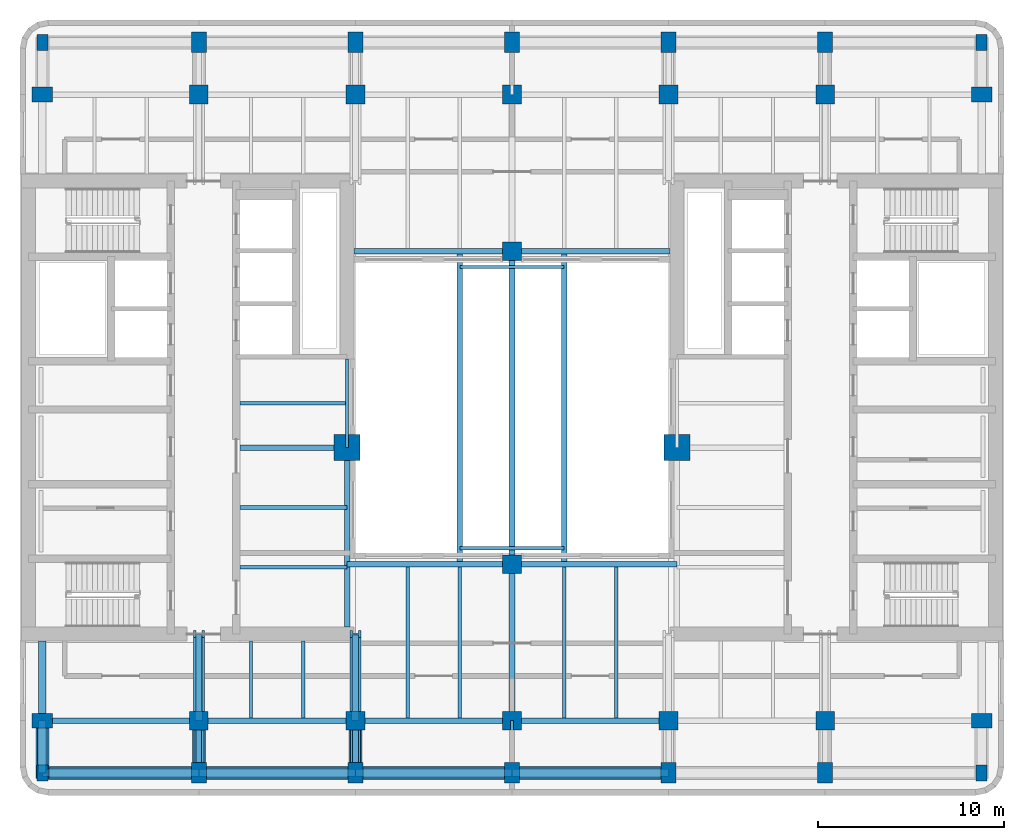
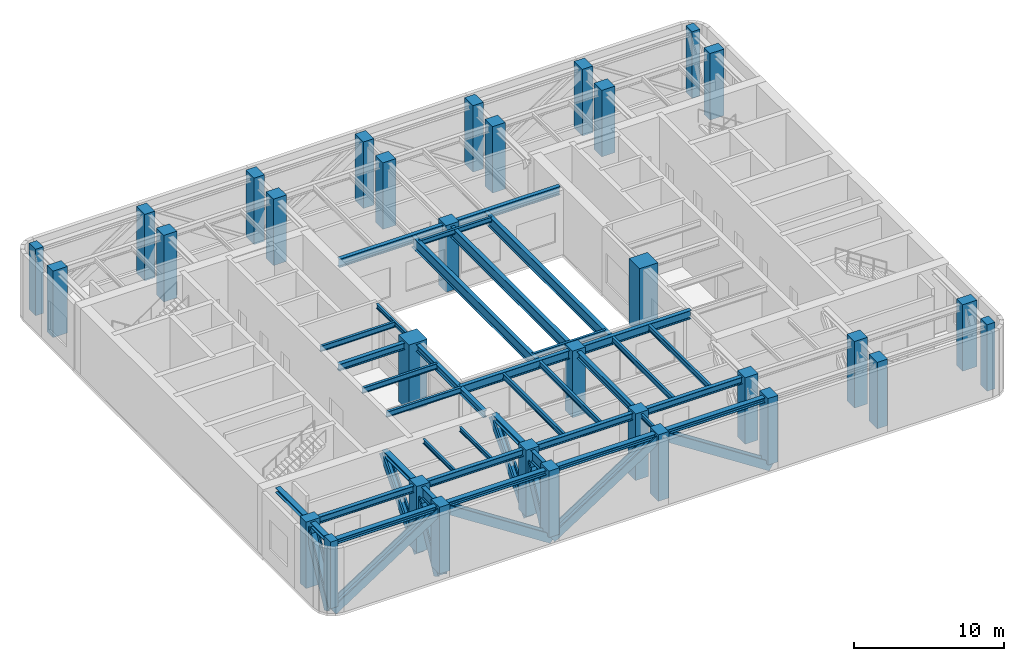
# One storey, part 1 of 10: 37 beams, 32 columns, 9 members.
"""IFC4 building model written with IfcOpenShell, lengths in metres."""

from ifc_helpers import new_model, si_unit, direction, frame, origin, origin_2d, place, context, subcontext, project, spatial, rectangle, i_section, extrude, material, material_profile, profile_set, type_object, element, save


model = new_model("IFC4")

# Units and contexts
model_context = context("Model", 3, precision=1e-05, world=origin(), true_north=direction((0.0, 1.0)))
body_context = subcontext(model_context, "Body", "Model", "MODEL_VIEW")
ifc_project = project(units=[si_unit("LENGTHUNIT", "METRE"), si_unit("AREAUNIT", "SQUARE_METRE"), si_unit("VOLUMEUNIT", "CUBIC_METRE"), si_unit("PLANEANGLEUNIT", "RADIAN"), si_unit("MASSUNIT", "GRAM", prefix="KILO")], contexts=[model_context])

# Site, building, storey
site_placement = place(None, origin())
site = spatial("IfcSite", under=ifc_project, at=site_placement, CompositionType="ELEMENT")
building_placement = place(site_placement, origin())
building = spatial("IfcBuilding", under=site, at=building_placement, Name="Claustro Exchange Tower", CompositionType="ELEMENT")
storey_placement = place(building_placement, frame((0.0, 0.0, 244.800048828125)))
storey = spatial("IfcBuildingStorey", under=building, at=storey_placement, Name="L56", CompositionType="ELEMENT", Elevation=244.800048828125)

# Columns
ifc_material_1 = material(Name="Concrete HA-70 (C70/85)", Category="concrete")
ifc_material_profile_1 = material_profile(ifc_material_1, rectangle(XDim=1.39990234375, YDim=1.39990234375, at=origin_2d()), Name="RC 1400x1400")
ifc_profile_set_1 = profile_set([ifc_material_profile_1], Name="Concrete HA-70 (C70/85)")
column_type_1 = type_object("IfcColumnType", Name="C0 RC 1400x1400 HA-70 column", PredefinedType="COLUMN", material=ifc_profile_set_1)
for number, where, z_axis, x_axis, name in (
    (1, (16.35009765625, 23.050048828125, 0.0), (0.0, 0.0, 1.0), (1.0, 0.0, 0.0), "Column C0 2+7950/C+6250 L56"),
    (2, (34.050048828125, 23.050048828125, 0.0), (0.0, 0.0, 1.0), (1.0, 0.0, 0.0), "Column C0 5+450/C+6250 L56"),
):
    element("IfcColumn", number, at=place(storey_placement, frame(where, z_axis=z_axis, x_axis=x_axis)), inside=storey, type_object=column_type_1, Name=name, PredefinedType="COLUMN", context=body_context, shape_type="SweptSolid", body=[
        extrude(rectangle(XDim=1.39990234375, YDim=1.39990234375, at=origin_2d()), origin(), (0.0, 0.0, 1.0), 5.39990234375),
    ])
ifc_material_2 = material(Name="Concrete HA-70 (C70/85)", Category="concrete")
ifc_material_profile_2 = material_profile(ifc_material_2, rectangle(XDim=1.0, YDim=1.0, at=origin_2d()), Name="RC 1000x1000")
ifc_profile_set_2 = profile_set([ifc_material_profile_2], Name="Concrete HA-70 (C70/85)")
column_type_2 = type_object("IfcColumnType", Name="C2 RC 1000x1000 HA-70 column", PredefinedType="COLUMN", material=ifc_profile_set_2)
for number, where, z_axis, x_axis, name in (
    (3, (8.39990234375, 8.39990234375, 0.0), (0.0, 0.0, 1.0), (1.0, 0.0, 0.0), "Column C2 2/B L56"),
    (4, (8.39990234375, 42.0, 0.0), (0.0, 0.0, 1.0), (1.0, 0.0, 0.0), "Column C2 2/F L56"),
    (5, (16.800048828125, 8.39990234375, 0.0), (0.0, 0.0, 1.0), (1.0, 0.0, 0.0), "Column C2 3/B L56"),
    (6, (16.800048828125, 42.0, 0.0), (0.0, 0.0, 1.0), (1.0, 0.0, 0.0), "Column C2 3/F L56"),
    (7, (25.199951171875, 8.39990234375, 0.0), (0.0, 0.0, 1.0), (1.0, 0.0, 0.0), "Column C2 4/B L56"),
    (8, (25.199951171875, 42.0, 0.0), (0.0, 0.0, 1.0), (1.0, 0.0, 0.0), "Column C2 4/F L56"),
    (9, (25.199951171875, 16.800048828125, 0.0), (0.0, 0.0, 1.0), (1.0, 0.0, 0.0), "Column C2 4/C L56"),
    (10, (25.199951171875, 33.60009765625, 0.0), (0.0, 0.0, 1.0), (1.0, 0.0, 0.0), "Column C2 4/E L56"),
    (11, (33.60009765625, 8.39990234375, 0.0), (0.0, 0.0, 1.0), (1.0, 0.0, 0.0), "Column C2 5/B L56"),
    (12, (33.60009765625, 42.0, 0.0), (0.0, 0.0, 1.0), (1.0, 0.0, 0.0), "Column C2 5/F L56"),
    (13, (42.0, 8.39990234375, 0.0), (0.0, 0.0, 1.0), (1.0, 0.0, 0.0), "Column C2 6/B L56"),
    (14, (42.0, 42.0, 0.0), (0.0, 0.0, 1.0), (1.0, 0.0, 0.0), "Column C2 6/F L56"),
):
    element("IfcColumn", number, at=place(storey_placement, frame(where, z_axis=z_axis, x_axis=x_axis)), inside=storey, type_object=column_type_2, Name=name, PredefinedType="COLUMN", context=body_context, shape_type="SweptSolid", body=[
        extrude(rectangle(XDim=1.0, YDim=1.0, at=origin_2d()), origin(), (0.0, 0.0, 1.0), 5.39990234375),
    ])
ifc_material_3 = material(Name="Concrete HA-50 (C50/60)", Category="concrete")
ifc_material_profile_3 = material_profile(ifc_material_3, rectangle(XDim=0.800048828125, YDim=1.10009765625, at=origin_2d()), Name="RC 800x1100")
ifc_profile_set_3 = profile_set([ifc_material_profile_3], Name="Concrete HA-50 (C50/60)")
column_type_3 = type_object("IfcColumnType", Name="C23 RC 800x1100 HA-50 perimeter column", PredefinedType="COLUMN", material=ifc_profile_set_3)
for number, where, z_axis, x_axis, name in (
    (15, (0.0, 8.39990234375, 0.0), (0.0, 0.0, 1.0), (0.0, 1.0, 0.0), "Column C23 1/B L56"),
    (16, (0.0, 42.0, 0.0), (0.0, 0.0, 1.0), (0.0, 1.0, 0.0), "Column C23 1/F L56"),
    (17, (8.39990234375, 5.60009765625, 0.0), (0.0, 0.0, 1.0), (1.0, 0.0, 0.0), "Column C23 2/A+5600 L56"),
    (18, (8.39990234375, 44.800048828125, 0.0), (0.0, 0.0, 1.0), (1.0, 0.0, 0.0), "Column C23 2/F+2800 L56"),
    (19, (16.800048828125, 5.60009765625, 0.0), (0.0, 0.0, 1.0), (1.0, 0.0, 0.0), "Column C23 3/A+5600 L56"),
    (20, (16.800048828125, 44.800048828125, 0.0), (0.0, 0.0, 1.0), (1.0, 0.0, 0.0), "Column C23 3/F+2800 L56"),
    (21, (25.199951171875, 5.60009765625, 0.0), (0.0, 0.0, 1.0), (1.0, 0.0, 0.0), "Column C23 4/A+5600 L56"),
    (22, (25.199951171875, 44.800048828125, 0.0), (0.0, 0.0, 1.0), (1.0, 0.0, 0.0), "Column C23 4/F+2800 L56"),
    (23, (33.60009765625, 5.60009765625, 0.0), (0.0, 0.0, 1.0), (1.0, 0.0, 0.0), "Column C23 5/A+5600 L56"),
    (24, (33.60009765625, 44.800048828125, 0.0), (0.0, 0.0, 1.0), (1.0, 0.0, 0.0), "Column C23 5/F+2800 L56"),
    (25, (42.0, 5.60009765625, 0.0), (0.0, 0.0, 1.0), (1.0, 0.0, 0.0), "Column C23 6/A+5600 L56"),
    (26, (42.0, 44.800048828125, 0.0), (0.0, 0.0, 1.0), (1.0, 0.0, 0.0), "Column C23 6/F+2800 L56"),
    (27, (50.39990234375, 8.39990234375, 0.0), (0.0, 0.0, 1.0), (0.0, 1.0, 0.0), "Column C23 7/B L56"),
    (28, (50.39990234375, 42.0, 0.0), (0.0, 0.0, 1.0), (0.0, 1.0, 0.0), "Column C23 7/F L56"),
):
    element("IfcColumn", number, at=place(storey_placement, frame(where, z_axis=z_axis, x_axis=x_axis)), inside=storey, type_object=column_type_3, Name=name, PredefinedType="COLUMN", context=body_context, shape_type="SweptSolid", body=[
        extrude(rectangle(XDim=0.800048828125, YDim=1.10009765625, at=origin_2d()), origin(), (0.0, 0.0, 1.0), 5.39990234375),
    ])
ifc_material_4 = material(Name="Concrete HA-50 (C50/60)", Category="concrete")
ifc_material_profile_4 = material_profile(ifc_material_4, rectangle(XDim=0.60009765625, YDim=0.85009765625, at=origin_2d()), Name="RC 600x850")
ifc_profile_set_4 = profile_set([ifc_material_profile_4], Name="Concrete HA-50 (C50/60)")
column_type_4 = type_object("IfcColumnType", Name="C25 RC 600x850 HA-50 corner column", PredefinedType="COLUMN", material=ifc_profile_set_4)
for number, where, z_axis, x_axis, name in (
    (29, (0.0, 5.60009765625, 0.0), (0.0, 0.0, 1.0), (1.0, 0.0, 0.0), "Column C25 1/A+5600 L56"),
    (30, (0.0, 44.800048828125, 0.0), (0.0, 0.0, 1.0), (1.0, 0.0, 0.0), "Column C25 1/F+2800 L56"),
    (31, (50.39990234375, 5.60009765625, 0.0), (0.0, 0.0, 1.0), (1.0, 0.0, 0.0), "Column C25 7/A+5600 L56"),
    (32, (50.39990234375, 44.800048828125, 0.0), (0.0, 0.0, 1.0), (1.0, 0.0, 0.0), "Column C25 7/F+2800 L56"),
):
    element("IfcColumn", number, at=place(storey_placement, frame(where, z_axis=z_axis, x_axis=x_axis)), inside=storey, type_object=column_type_4, Name=name, PredefinedType="COLUMN", context=body_context, shape_type="SweptSolid", body=[
        extrude(rectangle(XDim=0.60009765625, YDim=0.85009765625, at=origin_2d()), origin(), (0.0, 0.0, 1.0), 5.39990234375),
    ])

# Beams
ifc_material_5 = material(Name="Steel S355", Category="steel")
ifc_material_profile_5 = material_profile(ifc_material_5, i_section(OverallWidth=0.300048828125, OverallDepth=0.68994140625, WebThickness=0.014404296875, FlangeThickness=0.027099609375, FilletRadius=0.027099609375, at=origin_2d()), Name="HE 700 A")
ifc_profile_set_5 = profile_set([ifc_material_profile_5], Name="Steel S355")
beam_type_1 = type_object("IfcBeamType", Name="B13 HE 700 A light well edge girder", PredefinedType="BEAM", material=ifc_profile_set_5)
beam_1_placement = place(storey_placement, frame((16.35009765625, 16.800048828125, 4.905029296875), z_axis=(1.0, 0.0, 0.0), x_axis=(0.0, 1.0, 0.0)))
element("IfcBeam", 33, at=beam_1_placement, inside=storey, type_object=beam_type_1, Name="Beam B13 L57", PredefinedType="BEAM", context=body_context, shape_type="SweptSolid", body=[
    extrude(i_section(OverallWidth=0.300048828125, OverallDepth=0.68994140625, WebThickness=0.014404296875, FlangeThickness=0.027099609375, FilletRadius=0.027099609375, at=origin_2d()), origin(), (0.0, 0.0, 1.0), 8.849853515625),
])
beam_2_placement = place(storey_placement, frame((25.199951171875, 16.800048828125, 4.905029296875), z_axis=(1.0, 0.0, 0.0), x_axis=(0.0, 1.0, 0.0)))
element("IfcBeam", 34, at=beam_2_placement, inside=storey, type_object=beam_type_1, Name="Beam B13 L57", PredefinedType="BEAM", context=body_context, shape_type="SweptSolid", body=[
    extrude(i_section(OverallWidth=0.300048828125, OverallDepth=0.68994140625, WebThickness=0.014404296875, FlangeThickness=0.027099609375, FilletRadius=0.027099609375, at=origin_2d()), origin(), (0.0, 0.0, 1.0), 8.85009765625),
])
beam_3_placement = place(storey_placement, frame((16.72509765625, 33.60009765625, 4.905029296875), z_axis=(1.0, 0.0, 0.0), x_axis=(0.0, 1.0, 0.0)))
element("IfcBeam", 35, at=beam_3_placement, inside=storey, type_object=beam_type_1, Name="Beam B13 L57", PredefinedType="BEAM", context=body_context, shape_type="SweptSolid", body=[
    extrude(i_section(OverallWidth=0.300048828125, OverallDepth=0.68994140625, WebThickness=0.014404296875, FlangeThickness=0.027099609375, FilletRadius=0.027099609375, at=origin_2d()), origin(), (0.0, 0.0, 1.0), 8.474853515625),
])
beam_4_placement = place(storey_placement, frame((25.199951171875, 33.60009765625, 4.905029296875), z_axis=(1.0, 0.0, 0.0), x_axis=(0.0, 1.0, 0.0)))
element("IfcBeam", 36, at=beam_4_placement, inside=storey, type_object=beam_type_1, Name="Beam B13 L57", PredefinedType="BEAM", context=body_context, shape_type="SweptSolid", body=[
    extrude(i_section(OverallWidth=0.300048828125, OverallDepth=0.68994140625, WebThickness=0.014404296875, FlangeThickness=0.027099609375, FilletRadius=0.027099609375, at=origin_2d()), origin(), (0.0, 0.0, 1.0), 8.47509765625),
])
ifc_material_6 = material(Name="Steel S355", Category="steel")
ifc_material_profile_6 = material_profile(ifc_material_6, i_section(OverallWidth=0.300048828125, OverallDepth=0.89990234375, WebThickness=0.0185546875, FlangeThickness=0.034912109375, FilletRadius=0.030029296875, at=origin_2d()), Name="HE 900 B")
ifc_profile_set_6 = profile_set([ifc_material_profile_6], Name="Steel S355")
beam_type_2 = type_object("IfcBeamType", Name="B14 HE 900 B bridge girder", PredefinedType="BEAM", material=ifc_profile_set_6)
for number, where, z_axis, x_axis, name in (
    (37, (22.39990234375, 16.949951171875, 4.77001953125), (0.0, 1.0, 0.0), (-1.0, 0.0, 0.0), "Sky bridge girder B14 L57"),
    (38, (25.199951171875, 16.949951171875, 4.77001953125), (0.0, 1.0, 0.0), (-1.0, 0.0, 0.0), "Sky bridge girder B14 L57"),
    (39, (28.0, 16.949951171875, 4.77001953125), (0.0, 1.0, 0.0), (-1.0, 0.0, 0.0), "Sky bridge girder B14 L57"),
):
    element("IfcBeam", number, at=place(storey_placement, frame(where, z_axis=z_axis, x_axis=x_axis)), inside=storey, type_object=beam_type_2, Name=name, PredefinedType="BEAM", context=body_context, shape_type="SweptSolid", body=[
        extrude(i_section(OverallWidth=0.300048828125, OverallDepth=0.89990234375, WebThickness=0.0185546875, FlangeThickness=0.034912109375, FilletRadius=0.030029296875, at=origin_2d()), origin(), (0.0, 0.0, 1.0), 16.5),
    ])
ifc_material_7 = material(Name="Steel S355", Category="steel")
ifc_material_profile_7 = material_profile(ifc_material_7, i_section(OverallWidth=0.169921875, OverallDepth=0.360107421875, WebThickness=0.008056640625, FlangeThickness=0.0126953125, FilletRadius=0.01806640625, at=origin_2d()), Name="IPE 360")
ifc_profile_set_7 = profile_set([ifc_material_profile_7], Name="Steel S355")
beam_type_3 = type_object("IfcBeamType", Name="B16 IPE 360 short-span beam", PredefinedType="BEAM", material=ifc_profile_set_7)
beam_5_placement = place(storey_placement, frame((25.199951171875, 5.60009765625, 5.070068359375), z_axis=(0.0, 1.0, 0.0), x_axis=(-1.0, 0.0, 0.0)))
element("IfcBeam", 40, at=beam_5_placement, inside=storey, type_object=beam_type_3, Name="Beam B16 L57", PredefinedType="BEAM", context=body_context, shape_type="SweptSolid", body=[
    extrude(i_section(OverallWidth=0.169921875, OverallDepth=0.360107421875, WebThickness=0.008056640625, FlangeThickness=0.0126953125, FilletRadius=0.01806640625, at=origin_2d()), origin(), (0.0, 0.0, 1.0), 2.7998046875),
])
for number, where, z_axis, x_axis, name in (
    (41, (11.199951171875, 8.550048828125, 5.070068359375), (0.0, 1.0, 0.0), (-1.0, 0.0, 0.0), "Beam B16 L57"),
    (42, (14.0, 8.550048828125, 5.070068359375), (0.0, 1.0, 0.0), (-1.0, 0.0, 0.0), "Beam B16 L57"),
):
    element("IfcBeam", number, at=place(storey_placement, frame(where, z_axis=z_axis, x_axis=x_axis)), inside=storey, type_object=beam_type_3, Name=name, PredefinedType="BEAM", context=body_context, shape_type="SweptSolid", body=[
        extrude(i_section(OverallWidth=0.169921875, OverallDepth=0.360107421875, WebThickness=0.008056640625, FlangeThickness=0.0126953125, FilletRadius=0.01806640625, at=origin_2d()), origin(), (0.0, 0.0, 1.0), 4.125),
    ])
beam_6_placement = place(storey_placement, frame((16.35009765625, 23.050048828125, 5.070068359375), z_axis=(0.0, 1.0, 0.0), x_axis=(-1.0, 0.0, 0.0)))
element("IfcBeam", 43, at=beam_6_placement, inside=storey, type_object=beam_type_3, Name="Beam B16 core step framing L57", PredefinedType="BEAM", context=body_context, shape_type="SweptSolid", body=[
    extrude(i_section(OverallWidth=0.169921875, OverallDepth=0.360107421875, WebThickness=0.008056640625, FlangeThickness=0.0126953125, FilletRadius=0.01806640625, at=origin_2d()), origin(), (0.0, 0.0, 1.0), 4.75),
])
ifc_material_8 = material(Name="Steel S355", Category="steel")
ifc_material_profile_8 = material_profile(ifc_material_8, i_section(OverallWidth=0.300048828125, OverallDepth=0.550048828125, WebThickness=0.014892578125, FlangeThickness=0.029052734375, FilletRadius=0.027099609375, at=origin_2d()), Name="HE 550 B")
ifc_profile_set_8 = profile_set([ifc_material_profile_8], Name="Steel S355")
beam_type_4 = type_object("IfcBeamType", Name="B17 HE 550 B floor girder", PredefinedType="BEAM", material=ifc_profile_set_8)
beam_7_placement = place(storey_placement, frame((25.199951171875, 8.39990234375, 4.974853515625), z_axis=(0.0, 1.0, 0.0), x_axis=(-1.0, 0.0, 0.0)))
element("IfcBeam", 44, at=beam_7_placement, inside=storey, type_object=beam_type_4, Name="Beam B17 L57", PredefinedType="BEAM", context=body_context, shape_type="SweptSolid", body=[
    extrude(i_section(OverallWidth=0.300048828125, OverallDepth=0.550048828125, WebThickness=0.014892578125, FlangeThickness=0.029052734375, FilletRadius=0.027099609375, at=origin_2d()), origin(), (0.0, 0.0, 1.0), 8.400146484375),
])
beam_8_placement = place(storey_placement, frame((0.0, 8.39990234375, 4.974853515625), z_axis=(1.0, 0.0, 0.0), x_axis=(0.0, 1.0, 0.0)))
element("IfcBeam", 45, at=beam_8_placement, inside=storey, type_object=beam_type_4, Name="Beam B17 L57", PredefinedType="BEAM", context=body_context, shape_type="SweptSolid", body=[
    extrude(i_section(OverallWidth=0.300048828125, OverallDepth=0.550048828125, WebThickness=0.014892578125, FlangeThickness=0.029052734375, FilletRadius=0.027099609375, at=origin_2d()), origin(), (0.0, 0.0, 1.0), 8.39990234375),
])
beam_9_placement = place(storey_placement, frame((8.39990234375, 8.39990234375, 4.974853515625), z_axis=(1.0, 0.0, 0.0), x_axis=(0.0, 1.0, 0.0)))
element("IfcBeam", 46, at=beam_9_placement, inside=storey, type_object=beam_type_4, Name="Beam B17 L57", PredefinedType="BEAM", context=body_context, shape_type="SweptSolid", body=[
    extrude(i_section(OverallWidth=0.300048828125, OverallDepth=0.550048828125, WebThickness=0.014892578125, FlangeThickness=0.029052734375, FilletRadius=0.027099609375, at=origin_2d()), origin(), (0.0, 0.0, 1.0), 8.400146484375),
])
beam_10_placement = place(storey_placement, frame((16.800048828125, 8.39990234375, 4.974853515625), z_axis=(1.0, 0.0, 0.0), x_axis=(0.0, 1.0, 0.0)))
element("IfcBeam", 47, at=beam_10_placement, inside=storey, type_object=beam_type_4, Name="Beam B17 L57", PredefinedType="BEAM", context=body_context, shape_type="SweptSolid", body=[
    extrude(i_section(OverallWidth=0.300048828125, OverallDepth=0.550048828125, WebThickness=0.014892578125, FlangeThickness=0.029052734375, FilletRadius=0.027099609375, at=origin_2d()), origin(), (0.0, 0.0, 1.0), 8.39990234375),
])
beam_11_placement = place(storey_placement, frame((25.199951171875, 8.39990234375, 4.974853515625), z_axis=(1.0, 0.0, 0.0), x_axis=(0.0, 1.0, 0.0)))
element("IfcBeam", 48, at=beam_11_placement, inside=storey, type_object=beam_type_4, Name="Beam B17 L57", PredefinedType="BEAM", context=body_context, shape_type="SweptSolid", body=[
    extrude(i_section(OverallWidth=0.300048828125, OverallDepth=0.550048828125, WebThickness=0.014892578125, FlangeThickness=0.029052734375, FilletRadius=0.027099609375, at=origin_2d()), origin(), (0.0, 0.0, 1.0), 8.400146484375),
])
beam_12_placement = place(storey_placement, frame((10.60009765625, 23.050048828125, 4.974853515625), z_axis=(1.0, 0.0, 0.0), x_axis=(0.0, 1.0, 0.0)))
element("IfcBeam", 49, at=beam_12_placement, inside=storey, type_object=beam_type_4, Name="Beam B17 core step framing L57", PredefinedType="BEAM", context=body_context, shape_type="SweptSolid", body=[
    extrude(i_section(OverallWidth=0.300048828125, OverallDepth=0.550048828125, WebThickness=0.014892578125, FlangeThickness=0.029052734375, FilletRadius=0.027099609375, at=origin_2d()), origin(), (0.0, 0.0, 1.0), 5.75),
])
beam_13_placement = place(storey_placement, frame((16.35009765625, 13.425048828125, 4.974853515625), z_axis=(0.0, 1.0, 0.0), x_axis=(-1.0, 0.0, 0.0)))
element("IfcBeam", 50, at=beam_13_placement, inside=storey, type_object=beam_type_4, Name="Beam B17 core step framing L57", PredefinedType="BEAM", context=body_context, shape_type="SweptSolid", body=[
    extrude(i_section(OverallWidth=0.300048828125, OverallDepth=0.550048828125, WebThickness=0.014892578125, FlangeThickness=0.029052734375, FilletRadius=0.027099609375, at=origin_2d()), origin(), (0.0, 0.0, 1.0), 9.625),
])
ifc_material_9 = material(Name="Steel S355", Category="steel")
ifc_material_profile_9 = material_profile(ifc_material_9, i_section(OverallWidth=0.179931640625, OverallDepth=0.39990234375, WebThickness=0.008544921875, FlangeThickness=0.013427734375, FilletRadius=0.02099609375, at=origin_2d()), Name="IPE 400")
ifc_profile_set_9 = profile_set([ifc_material_profile_9], Name="Steel S355")
beam_type_5 = type_object("IfcBeamType", Name="B21 IPE 400 sky bridge end trimmer", PredefinedType="BEAM", material=ifc_profile_set_9)
for number, where, z_axis, x_axis, name in (
    (51, (22.39990234375, 17.64990234375, 5.02001953125), (1.0, 0.0, 0.0), (0.0, 1.0, 0.0), "Sky bridge end trimmer B21 L57"),
    (52, (22.39990234375, 32.75, 5.02001953125), (1.0, 0.0, 0.0), (0.0, 1.0, 0.0), "Sky bridge end trimmer B21 L57"),
):
    element("IfcBeam", number, at=place(storey_placement, frame(where, z_axis=z_axis, x_axis=x_axis)), inside=storey, type_object=beam_type_5, Name=name, PredefinedType="BEAM", context=body_context, shape_type="SweptSolid", body=[
        extrude(i_section(OverallWidth=0.179931640625, OverallDepth=0.39990234375, WebThickness=0.008544921875, FlangeThickness=0.013427734375, FilletRadius=0.02099609375, at=origin_2d()), origin(), (0.0, 0.0, 1.0), 5.60009765625),
    ])
ifc_material_10 = material(Name="Steel S355", Category="steel")
ifc_material_profile_10 = material_profile(ifc_material_10, i_section(OverallWidth=0.18994140625, OverallDepth=0.449951171875, WebThickness=0.009521484375, FlangeThickness=0.0146484375, FilletRadius=0.02099609375, at=origin_2d()), Name="IPE 450")
ifc_profile_set_10 = profile_set([ifc_material_profile_10], Name="Steel S355")
beam_type_6 = type_object("IfcBeamType", Name="B8 IPE 450 secondary beam", PredefinedType="BEAM", material=ifc_profile_set_10)
for number, where, z_axis, x_axis, name in (
    (53, (19.60009765625, 8.550048828125, 5.02490234375), (0.0, 1.0, 0.0), (-1.0, 0.0, 0.0), "Beam B8 L57"),
    (54, (22.39990234375, 8.550048828125, 5.02490234375), (0.0, 1.0, 0.0), (-1.0, 0.0, 0.0), "Beam B8 L57"),
    (55, (28.0, 8.550048828125, 5.02490234375), (0.0, 1.0, 0.0), (-1.0, 0.0, 0.0), "Beam B8 L57"),
    (56, (30.800048828125, 8.550048828125, 5.02490234375), (0.0, 1.0, 0.0), (-1.0, 0.0, 0.0), "Beam B8 L57"),
):
    element("IfcBeam", number, at=place(storey_placement, frame(where, z_axis=z_axis, x_axis=x_axis)), inside=storey, type_object=beam_type_6, Name=name, PredefinedType="BEAM", context=body_context, shape_type="SweptSolid", body=[
        extrude(i_section(OverallWidth=0.18994140625, OverallDepth=0.449951171875, WebThickness=0.009521484375, FlangeThickness=0.0146484375, FilletRadius=0.02099609375, at=origin_2d()), origin(), (0.0, 0.0, 1.0), 8.099853515625),
    ])
for number, where, z_axis, x_axis, name in (
    (57, (10.60009765625, 16.63330078125, 5.02490234375), (1.0, 0.0, 0.0), (0.0, 1.0, 0.0), "Beam B8 core step framing L57"),
    (58, (10.60009765625, 19.841796875, 5.02490234375), (1.0, 0.0, 0.0), (0.0, 1.0, 0.0), "Beam B8 core step framing L57"),
    (59, (10.60009765625, 25.425048828125, 5.02490234375), (1.0, 0.0, 0.0), (0.0, 1.0, 0.0), "Beam B8 core step framing L57"),
):
    element("IfcBeam", number, at=place(storey_placement, frame(where, z_axis=z_axis, x_axis=x_axis)), inside=storey, type_object=beam_type_6, Name=name, PredefinedType="BEAM", context=body_context, shape_type="SweptSolid", body=[
        extrude(i_section(OverallWidth=0.18994140625, OverallDepth=0.449951171875, WebThickness=0.009521484375, FlangeThickness=0.0146484375, FilletRadius=0.02099609375, at=origin_2d()), origin(), (0.0, 0.0, 1.0), 5.75),
    ])
ifc_material_11 = material(Name="Steel S460", Category="steel")
ifc_material_profile_11 = material_profile(ifc_material_11, i_section(OverallWidth=0.39501953125, OverallDepth=0.3798828125, WebThickness=0.018798828125, FlangeThickness=0.0302734375, FilletRadius=0.014892578125, at=origin_2d()), Name="HD 400x237")
ifc_profile_set_11 = profile_set([ifc_material_profile_11], Name="Steel S460")
beam_type_7 = type_object("IfcBeamType", Name="BT5 HD 400x237 belt truss chord", PredefinedType="BEAM", material=ifc_profile_set_11)
beam_14_placement = place(storey_placement, frame((0.0, 5.60009765625, 5.06005859375), z_axis=(0.0, 1.0, 0.0), x_axis=(-1.0, 0.0, 0.0)))
element("IfcBeam", 60, at=beam_14_placement, inside=storey, type_object=beam_type_7, Name="Beam BT5 L57", PredefinedType="BEAM", context=body_context, shape_type="SweptSolid", body=[
    extrude(i_section(OverallWidth=0.39501953125, OverallDepth=0.3798828125, WebThickness=0.018798828125, FlangeThickness=0.0302734375, FilletRadius=0.014892578125, at=origin_2d()), origin(), (0.0, 0.0, 1.0), 2.7998046875),
])
beam_15_placement = place(storey_placement, frame((0.0, 8.39990234375, 5.06005859375), z_axis=(0.0, 1.0, 0.0), x_axis=(-1.0, 0.0, 0.0)))
element("IfcBeam", 61, at=beam_15_placement, inside=storey, type_object=beam_type_7, Name="Beam BT5 L57", PredefinedType="BEAM", context=body_context, shape_type="SweptSolid", body=[
    extrude(i_section(OverallWidth=0.39501953125, OverallDepth=0.3798828125, WebThickness=0.018798828125, FlangeThickness=0.0302734375, FilletRadius=0.014892578125, at=origin_2d()), origin(), (0.0, 0.0, 1.0), 4.275146484375),
])
beam_16_placement = place(storey_placement, frame((0.0, 5.60009765625, 5.06005859375), z_axis=(1.0, 0.0, 0.0), x_axis=(0.0, 1.0, 0.0)))
element("IfcBeam", 62, at=beam_16_placement, inside=storey, type_object=beam_type_7, Name="Beam BT5 L57", PredefinedType="BEAM", context=body_context, shape_type="SweptSolid", body=[
    extrude(i_section(OverallWidth=0.39501953125, OverallDepth=0.3798828125, WebThickness=0.018798828125, FlangeThickness=0.0302734375, FilletRadius=0.014892578125, at=origin_2d()), origin(), (0.0, 0.0, 1.0), 8.39990234375),
])
beam_17_placement = place(storey_placement, frame((8.39990234375, 5.60009765625, 5.06005859375), z_axis=(1.0, 0.0, 0.0), x_axis=(0.0, 1.0, 0.0)))
element("IfcBeam", 63, at=beam_17_placement, inside=storey, type_object=beam_type_7, Name="Beam BT5 L57", PredefinedType="BEAM", context=body_context, shape_type="SweptSolid", body=[
    extrude(i_section(OverallWidth=0.39501953125, OverallDepth=0.3798828125, WebThickness=0.018798828125, FlangeThickness=0.0302734375, FilletRadius=0.014892578125, at=origin_2d()), origin(), (0.0, 0.0, 1.0), 8.400146484375),
])
beam_18_placement = place(storey_placement, frame((16.800048828125, 5.60009765625, 5.06005859375), z_axis=(1.0, 0.0, 0.0), x_axis=(0.0, 1.0, 0.0)))
element("IfcBeam", 64, at=beam_18_placement, inside=storey, type_object=beam_type_7, Name="Beam BT5 L57", PredefinedType="BEAM", context=body_context, shape_type="SweptSolid", body=[
    extrude(i_section(OverallWidth=0.39501953125, OverallDepth=0.3798828125, WebThickness=0.018798828125, FlangeThickness=0.0302734375, FilletRadius=0.014892578125, at=origin_2d()), origin(), (0.0, 0.0, 1.0), 8.39990234375),
])
beam_19_placement = place(storey_placement, frame((25.199951171875, 5.60009765625, 5.06005859375), z_axis=(1.0, 0.0, 0.0), x_axis=(0.0, 1.0, 0.0)))
element("IfcBeam", 65, at=beam_19_placement, inside=storey, type_object=beam_type_7, Name="Beam BT5 L57", PredefinedType="BEAM", context=body_context, shape_type="SweptSolid", body=[
    extrude(i_section(OverallWidth=0.39501953125, OverallDepth=0.3798828125, WebThickness=0.018798828125, FlangeThickness=0.0302734375, FilletRadius=0.014892578125, at=origin_2d()), origin(), (0.0, 0.0, 1.0), 8.400146484375),
])

# Members
ifc_material_12 = material(Name="Steel S460", Category="steel")
ifc_material_profile_12 = material_profile(ifc_material_12, i_section(OverallWidth=0.64990234375, OverallDepth=0.699951171875, WebThickness=0.050048828125, FlangeThickness=0.090087890625, at=origin_2d()), Name="PG 700x650")
ifc_profile_set_12 = profile_set([ifc_material_profile_12], Name="Steel S460")
member_type_1 = type_object("IfcMemberType", Name="BT6 PG 700x650 belt truss diagonal", PredefinedType="BRACE", material=ifc_profile_set_12)
member_1_placement = place(storey_placement, frame((0.0, 5.60009765625, -0.39013671875), z_axis=(0.838887870076, 0.0, 0.544304272847), x_axis=(-0.544304272847, 0.0, 0.838887870076)))
element("IfcMember", 66, at=member_1_placement, inside=storey, type_object=member_type_1, Name="Belt truss diagonal BT6 L56", PredefinedType="BRACE", context=body_context, shape_type="SweptSolid", body=[
    extrude(i_section(OverallWidth=0.64990234375, OverallDepth=0.699951171875, WebThickness=0.050048828125, FlangeThickness=0.090087890625, at=origin_2d()), origin(), (0.0, 0.0, 1.0), 10.01318359375),
])
member_2_placement = place(storey_placement, frame((16.800048828125, 5.60009765625, -0.39013671875), z_axis=(-0.838895093446, 0.0, 0.544293139945), x_axis=(0.544293139945, 0.0, 0.838895093446)))
element("IfcMember", 67, at=member_2_placement, inside=storey, type_object=member_type_1, Name="Belt truss diagonal BT6 L56", PredefinedType="BRACE", context=body_context, shape_type="SweptSolid", body=[
    extrude(i_section(OverallWidth=0.64990234375, OverallDepth=0.699951171875, WebThickness=0.050048828125, FlangeThickness=0.090087890625, at=origin_2d()), origin(), (0.0, 0.0, 1.0), 10.013427734375),
])
member_3_placement = place(storey_placement, frame((16.800048828125, 5.60009765625, -0.39013671875), z_axis=(0.838887870076, 0.0, 0.544304272847), x_axis=(-0.544304272847, 0.0, 0.838887870076)))
element("IfcMember", 68, at=member_3_placement, inside=storey, type_object=member_type_1, Name="Belt truss diagonal BT6 L56", PredefinedType="BRACE", context=body_context, shape_type="SweptSolid", body=[
    extrude(i_section(OverallWidth=0.64990234375, OverallDepth=0.699951171875, WebThickness=0.050048828125, FlangeThickness=0.090087890625, at=origin_2d()), origin(), (0.0, 0.0, 1.0), 10.01318359375),
])
member_4_placement = place(storey_placement, frame((33.60009765625, 5.60009765625, -0.39013671875), z_axis=(-0.838895093446, 0.0, 0.544293139945), x_axis=(0.544293139945, 0.0, 0.838895093446)))
element("IfcMember", 69, at=member_4_placement, inside=storey, type_object=member_type_1, Name="Belt truss diagonal BT6 L56", PredefinedType="BRACE", context=body_context, shape_type="SweptSolid", body=[
    extrude(i_section(OverallWidth=0.64990234375, OverallDepth=0.699951171875, WebThickness=0.050048828125, FlangeThickness=0.090087890625, at=origin_2d()), origin(), (0.0, 0.0, 1.0), 10.013427734375),
])
member_5_placement = place(storey_placement, frame((0.0, 5.60009765625, -0.39013671875), z_axis=(0.0, 0.456941027407, 0.889496991266), x_axis=(0.0, -0.889496991266, 0.456941027407)))
element("IfcMember", 70, at=member_5_placement, inside=storey, type_object=member_type_1, Name="Belt truss diagonal BT6 L56", PredefinedType="BRACE", context=body_context, shape_type="SweptSolid", body=[
    extrude(i_section(OverallWidth=0.64990234375, OverallDepth=0.699951171875, WebThickness=0.050048828125, FlangeThickness=0.090087890625, at=origin_2d()), origin(), (0.0, 0.0, 1.0), 6.127197265625),
])

# Beams
ifc_material_13 = material(Name="Steel S460", Category="steel")
ifc_material_profile_13 = material_profile(ifc_material_13, i_section(OverallWidth=0.404052734375, OverallDepth=0.406982421875, WebThickness=0.027099609375, FlangeThickness=0.043701171875, FilletRadius=0.014892578125, at=origin_2d()), Name="HD 400x347")
ifc_profile_set_13 = profile_set([ifc_material_profile_13], Name="Steel S460")
beam_type_8 = type_object("IfcBeamType", Name="OT5 HD 400x347 OUTRIGGER truss chord", PredefinedType="BEAM", material=ifc_profile_set_13)
for number, where, z_axis, x_axis, name in (
    (71, (8.39990234375, 8.39990234375, 4.946533203125), (0.0, 1.0, 0.0), (-1.0, 0.0, 0.0), "Beam OT5 L57"),
    (72, (16.800048828125, 8.39990234375, 4.946533203125), (0.0, 1.0, 0.0), (-1.0, 0.0, 0.0), "Beam OT5 L57"),
):
    element("IfcBeam", number, at=place(storey_placement, frame(where, z_axis=z_axis, x_axis=x_axis)), inside=storey, type_object=beam_type_8, Name=name, PredefinedType="BEAM", context=body_context, shape_type="SweptSolid", body=[
        extrude(i_section(OverallWidth=0.404052734375, OverallDepth=0.406982421875, WebThickness=0.027099609375, FlangeThickness=0.043701171875, FilletRadius=0.014892578125, at=origin_2d()), origin(), (0.0, 0.0, 1.0), 4.650146484375),
    ])

# Members
ifc_material_14 = material(Name="Steel S460", Category="steel")
ifc_material_profile_14 = material_profile(ifc_material_14, i_section(OverallWidth=0.47607421875, OverallDepth=0.60009765625, WebThickness=0.10009765625, FlangeThickness=0.139892578125, FilletRadius=0.014892578125, at=origin_2d()), Name="HD 400x1299")
ifc_profile_set_14 = profile_set([ifc_material_profile_14], Name="Steel S460")
member_type_2 = type_object("IfcMemberType", Name="OT6 HD 400x1299 OUTRIGGER truss diagonal", PredefinedType="BRACE", material=ifc_profile_set_14)
for number, where, z_axis, x_axis, name in (
    (73, (8.39990234375, 8.39990234375, -0.45361328125), (0.0, 0.652524774674, 0.757767390719), (0.0, -0.757767390719, 0.652524774674), "Outrigger truss diagonal OT6 L56"),
    (74, (16.800048828125, 8.39990234375, -0.45361328125), (0.0, 0.652524774674, 0.757767390719), (0.0, -0.757767390719, 0.652524774674), "Outrigger truss diagonal OT6 L56"),
):
    element("IfcMember", number, at=place(storey_placement, frame(where, z_axis=z_axis, x_axis=x_axis)), inside=storey, type_object=member_type_2, Name=name, PredefinedType="BRACE", context=body_context, shape_type="SweptSolid", body=[
        extrude(i_section(OverallWidth=0.47607421875, OverallDepth=0.60009765625, WebThickness=0.10009765625, FlangeThickness=0.139892578125, FilletRadius=0.014892578125, at=origin_2d()), origin(), (0.0, 0.0, 1.0), 7.12646484375),
    ])
ifc_material_15 = material(Name="Steel S460", Category="steel")
ifc_material_profile_15 = material_profile(ifc_material_15, i_section(OverallWidth=0.64990234375, OverallDepth=0.699951171875, WebThickness=0.050048828125, FlangeThickness=0.090087890625, at=origin_2d()), Name="PG 700x650")
ifc_profile_set_15 = profile_set([ifc_material_profile_15], Name="Steel S460")
member_type_3 = type_object("IfcMemberType", Name="OT7 PG 700x650 OUTRIGGER extension diagonal", PredefinedType="BRACE", material=ifc_profile_set_15)
member_6_placement = place(storey_placement, frame((8.39990234375, 5.60009765625, -0.550048828125), z_axis=(0.0, 0.463665524809, 0.88601031659), x_axis=(0.0, -0.88601031659, 0.463665524809)))
element("IfcMember", 75, at=member_6_placement, inside=storey, type_object=member_type_3, Name="Outrigger extension diagonal OT7 L56", PredefinedType="BRACE", context=body_context, shape_type="SweptSolid", body=[
    extrude(i_section(OverallWidth=0.64990234375, OverallDepth=0.699951171875, WebThickness=0.050048828125, FlangeThickness=0.090087890625, at=origin_2d()), origin(), (0.0, 0.0, 1.0), 6.038330078125),
])
member_7_placement = place(storey_placement, frame((16.800048828125, 5.60009765625, -0.7041015625), z_axis=(0.0, 0.453386166465, 0.891314189306), x_axis=(0.0, -0.891314189306, 0.453386166465)))
element("IfcMember", 76, at=member_7_placement, inside=storey, type_object=member_type_3, Name="Outrigger extension diagonal OT7 L56", PredefinedType="BRACE", context=body_context, shape_type="SweptSolid", body=[
    extrude(i_section(OverallWidth=0.64990234375, OverallDepth=0.699951171875, WebThickness=0.050048828125, FlangeThickness=0.090087890625, at=origin_2d()), origin(), (0.0, 0.0, 1.0), 6.17529296875),
])

# Beams
ifc_material_16 = material(Name="Steel S355", Category="steel")
ifc_material_profile_16 = material_profile(ifc_material_16, i_section(OverallWidth=0.300048828125, OverallDepth=0.89990234375, WebThickness=0.0185546875, FlangeThickness=0.034912109375, FilletRadius=0.030029296875, at=origin_2d()), Name="HE 900 B")
ifc_profile_set_16 = profile_set([ifc_material_profile_16], Name="Steel S355")
beam_type_9 = type_object("IfcBeamType", Name="OT8 HE 900 B OUTRIGGER extension chord", PredefinedType="BEAM", material=ifc_profile_set_16)
for number, where, z_axis, x_axis, name in (
    (77, (8.39990234375, 5.60009765625, 4.800048828125), (0.0, 1.0, 0.0), (-1.0, 0.0, 0.0), "Beam OT8 L57"),
    (78, (16.800048828125, 5.60009765625, 4.800048828125), (0.0, 1.0, 0.0), (-1.0, 0.0, 0.0), "Beam OT8 L57"),
):
    element("IfcBeam", number, at=place(storey_placement, frame(where, z_axis=z_axis, x_axis=x_axis)), inside=storey, type_object=beam_type_9, Name=name, PredefinedType="BEAM", context=body_context, shape_type="SweptSolid", body=[
        extrude(i_section(OverallWidth=0.300048828125, OverallDepth=0.89990234375, WebThickness=0.0185546875, FlangeThickness=0.034912109375, FilletRadius=0.030029296875, at=origin_2d()), origin(), (0.0, 0.0, 1.0), 2.7998046875),
    ])

save(model, "model.ifc")
